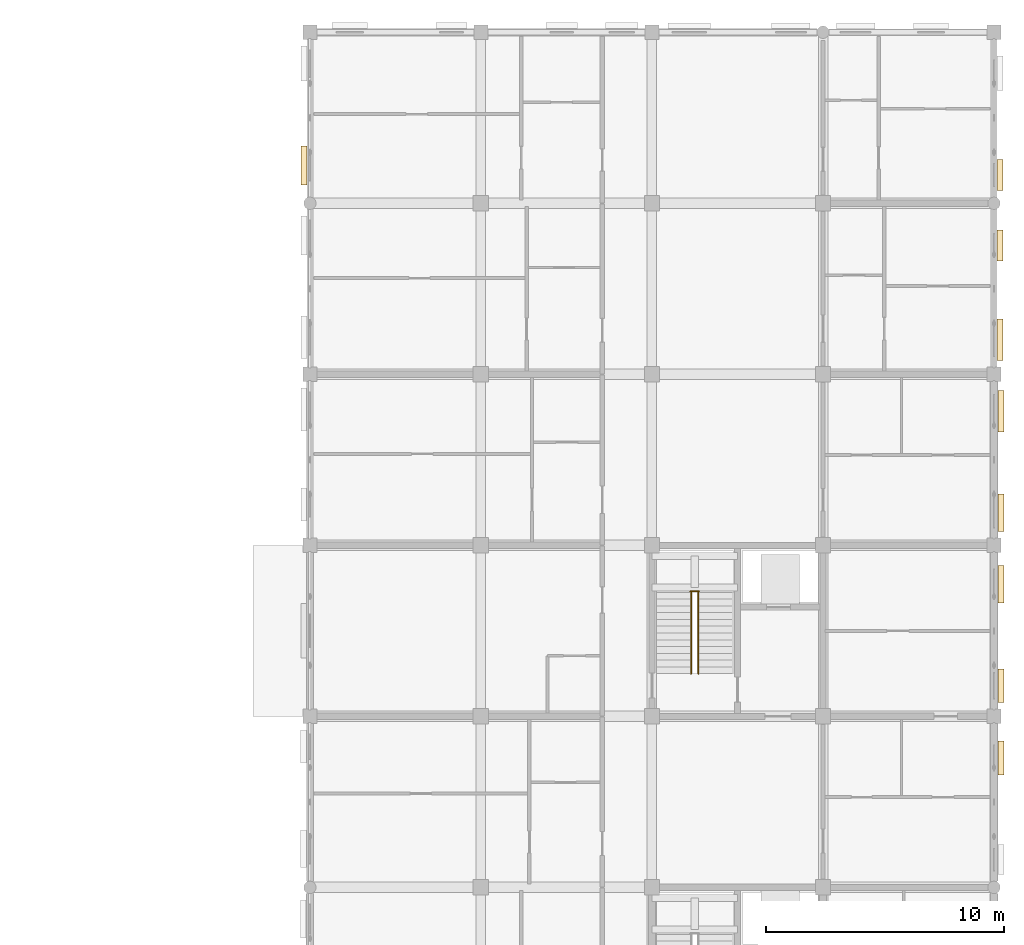
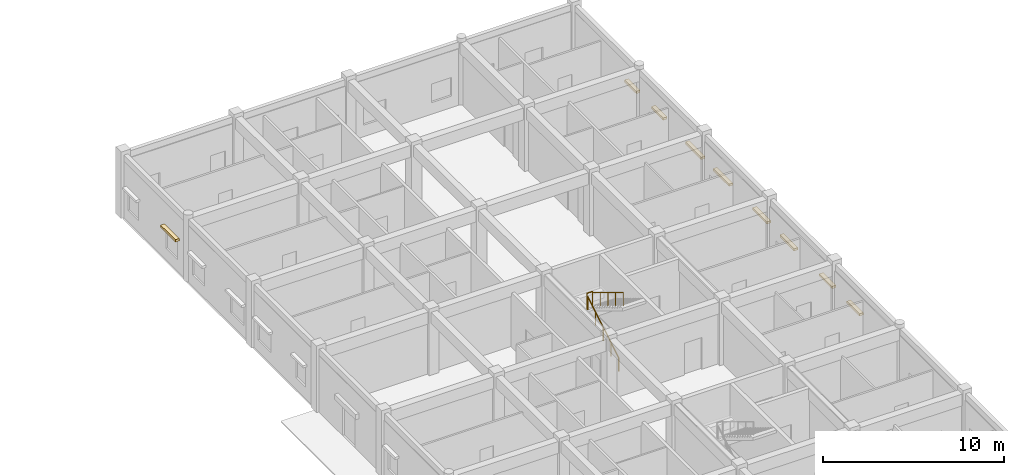
# One storey, part 134 of 138: 9 coverings, 3 railings.
"""IFC4 building model written with IfcOpenShell, lengths in metres."""

from ifc_helpers import new_model, si_unit, direction, frame, origin, origin_2d, place, context, subcontext, project, spatial, rectangle, circle, extrude, material, layer, layer_set, type_object, element, save


model = new_model("IFC4")

# Units and contexts
model_context = context("Model", 3, precision=1e-05, world=origin(), true_north=direction((0.0, 1.0)))
body_context = subcontext(model_context, "Body", "Model", "MODEL_VIEW")
ifc_project = project(units=[si_unit("LENGTHUNIT", "METRE"), si_unit("AREAUNIT", "SQUARE_METRE"), si_unit("VOLUMEUNIT", "CUBIC_METRE"), si_unit("PLANEANGLEUNIT", "RADIAN"), si_unit("MASSUNIT", "GRAM", prefix="KILO"), si_unit("THERMODYNAMICTEMPERATUREUNIT", "KELVIN"), si_unit("POWERUNIT", "WATT")], contexts=[model_context])

# Site, building, storey
site_placement = place(None, origin())
site = spatial("IfcSite", under=ifc_project, at=site_placement, CompositionType="ELEMENT")
building_placement = place(site_placement, origin())
building = spatial("IfcBuilding", under=site, at=building_placement, Name="Tavuni Mirador Residences", CompositionType="ELEMENT")
storey_placement = place(building_placement, origin())
storey = spatial("IfcBuildingStorey", under=building, at=storey_placement, Name="L00", CompositionType="ELEMENT", Elevation=0.0)

# Coverings
ifc_material_1 = material(Name="Natural coral limestone", Category="masonry")
ifc_layer = layer(ifc_material_1, 0.054931640625, Name="Natural coral limestone", Category="masonry")
ifc_layer_set = layer_set([ifc_layer], Name="Natural coral limestone")
covering_type = type_object("IfcCoveringType", Name="CVT-CLAD-CORAL", PredefinedType="CLADDING", material=ifc_layer_set)
for number, where, z_axis, x_axis, name in (
    (1, (119.094482421875, 106.25, 1.955078125), (0.0, 0.0, 1.0), (0.0, 1.0, 0.0), "HOOD-0857"),
    (2, (119.094482421875, 109.2900390625, 1.955078125), (0.0, 0.0, 1.0), (0.0, 1.0, 0.0), "HOOD-0858"),
):
    element("IfcCovering", number, at=place(storey_placement, frame(where, z_axis=z_axis, x_axis=x_axis)), inside=storey, type_object=covering_type, Name=name, PredefinedType="CLADDING", context=body_context, shape_type="SweptSolid", body=[
        extrude(rectangle(XDim=1.419921875, YDim=0.25, at=origin_2d()), origin(), (0.0, 0.0, 1.0), 0.14990234375),
    ])
for number, where, z_axis, x_axis, name in (
    (3, (119.094482421875, 113.570068359375, 1.955078125), (0.0, 0.0, 1.0), (0.0, 1.0, 0.0), "HOOD-0859"),
    (4, (119.094482421875, 116.570068359375, 1.955078125), (0.0, 0.0, 1.0), (0.0, 1.0, 0.0), "HOOD-0860"),
):
    element("IfcCovering", number, at=place(storey_placement, frame(where, z_axis=z_axis, x_axis=x_axis)), inside=storey, type_object=covering_type, Name=name, PredefinedType="CLADDING", context=body_context, shape_type="SweptSolid", body=[
        extrude(rectangle(XDim=1.580078125, YDim=0.25, at=origin_2d()), origin(), (0.0, 0.0, 1.0), 0.14990234375),
    ])
for number, where, z_axis, x_axis, name in (
    (5, (119.094482421875, 120.85009765625, 1.955078125), (0.0, 0.0, 1.0), (0.0, 1.0, 0.0), "HOOD-0861"),
    (6, (119.049560546875, 123.85009765625, 1.955078125), (0.0, 0.0, 1.0), (0.0, 1.0, 0.0), "HOOD-0862"),
):
    element("IfcCovering", number, at=place(storey_placement, frame(where, z_axis=z_axis, x_axis=x_axis)), inside=storey, type_object=covering_type, Name=name, PredefinedType="CLADDING", context=body_context, shape_type="SweptSolid", body=[
        extrude(rectangle(XDim=1.739990234375, YDim=0.25, at=origin_2d()), origin(), (0.0, 0.0, 1.0), 0.14990234375),
    ])
for number, where, z_axis, x_axis, name in (
    (7, (119.049560546875, 127.830078125, 2.06494140625), (0.0, 0.0, 1.0), (0.0, 1.0, 0.0), "HOOD-0863"),
    (8, (119.04443359375, 130.7900390625, 2.06494140625), (0.0, 0.0, 1.0), (0.0, 1.0, 0.0), "HOOD-0864"),
):
    element("IfcCovering", number, at=place(storey_placement, frame(where, z_axis=z_axis, x_axis=x_axis)), inside=storey, type_object=covering_type, Name=name, PredefinedType="CLADDING", context=body_context, shape_type="SweptSolid", body=[
        extrude(rectangle(XDim=1.300048828125, YDim=0.25, at=origin_2d()), origin(), (0.0, 0.0, 1.0), 0.14990234375),
    ])
covering_placement = place(storey_placement, frame((89.755615234375, 131.199951171875, 2.1650390625), z_axis=(0.0, 0.0, 1.0), x_axis=(0.0, -1.0, 0.0)))
element("IfcCovering", 9, at=covering_placement, inside=storey, type_object=covering_type, Name="HOOD-0875", PredefinedType="CLADDING", context=body_context, shape_type="SweptSolid", body=[
    extrude(rectangle(XDim=1.639892578125, YDim=0.25, at=origin_2d()), origin(), (0.0, 0.0, 1.0), 0.14990234375),
])

# Railings
ifc_material_2 = material(Name="Structural steel S355", Category="steel")
railing_type_1 = type_object("IfcRailingType", Name="RT-GR1120", PredefinedType="GUARDRAIL", material=ifc_material_2)
railing_1_placement = place(storey_placement, frame((106.02001953125, 113.260009765625, 2.25)))
element("IfcRailing", 10, at=railing_1_placement, inside=storey, type_object=railing_type_1, Name="GRD-HL-ST8-L00", PredefinedType="GUARDRAIL", context=body_context, shape_type="SweptSolid", body=[
    extrude(circle(Radius=0.02392578125, at=origin_2d()), frame((0.0, 0.0, 1.09619140625), z_axis=(1.0, 0.0, 0.0), x_axis=(0.0, 1.0, 0.0)), (0.0, 0.0, 1.0), 0.35986328125),
    extrude(circle(Radius=0.02099609375, at=origin_2d()), origin(), (0.0, 0.0, 1.0), 1.072021484375),
    extrude(circle(Radius=0.02099609375, at=origin_2d()), frame((0.35986328125, 0.0, 0.0)), (0.0, 0.0, 1.0), 1.072021484375),
])
railing_type_2 = type_object("IfcRailingType", Name="RT-HR920", PredefinedType="HANDRAIL", material=ifc_material_2)
railing_2_placement = place(storey_placement, frame((106.050048828125, 109.800048828125, 0.173095703125)))
element("IfcRailing", 11, at=railing_2_placement, inside=storey, type_object=railing_type_2, Name="HR-ST8-L00-F1", PredefinedType="HANDRAIL", context=body_context, shape_type="SweptSolid", body=[
    extrude(circle(Radius=0.02392578125, at=origin_2d()), frame((0.0, 0.0, 0.89599609375), z_axis=(0.0, 0.854729506542, 0.519073665916), x_axis=(-1.0, 0.0, 0.0)), (0.0, 0.0, 1.0), 4.001220703125),
    extrude(circle(Radius=0.02099609375, at=origin_2d()), origin(), (0.0, 0.0, 1.0), 0.871826171875),
    extrude(circle(Radius=0.02099609375, at=origin_2d()), frame((0.0, 0.85498046875, 0.519287109375)), (0.0, 0.0, 1.0), 0.871826171875),
    extrude(circle(Radius=0.02099609375, at=origin_2d()), frame((0.0, 1.7099609375, 1.03857421875)), (0.0, 0.0, 1.0), 0.871826171875),
    extrude(circle(Radius=0.02099609375, at=origin_2d()), frame((0.0, 2.56494140625, 1.5576171875)), (0.0, 0.0, 1.0), 0.871826171875),
    extrude(circle(Radius=0.02099609375, at=origin_2d()), frame((0.0, 3.419921875, 2.076904296875)), (0.0, 0.0, 1.0), 0.871826171875),
])
railing_3_placement = place(storey_placement, frame((106.35009765625, 113.219970703125, 2.423095703125)))
element("IfcRailing", 12, at=railing_3_placement, inside=storey, type_object=railing_type_2, Name="HR-ST8-L00-F2", PredefinedType="HANDRAIL", context=body_context, shape_type="SweptSolid", body=[
    extrude(circle(Radius=0.02392578125, at=origin_2d()), frame((0.0, 0.0, 0.89599609375), z_axis=(0.0, -0.854729506542, 0.519073665916), x_axis=(1.0, 0.0, 0.0)), (0.0, 0.0, 1.0), 4.001220703125),
    extrude(circle(Radius=0.02099609375, at=origin_2d()), origin(), (0.0, 0.0, 1.0), 0.871826171875),
    extrude(circle(Radius=0.02099609375, at=origin_2d()), frame((0.0, -0.85498046875, 0.519287109375)), (0.0, 0.0, 1.0), 0.871826171875),
    extrude(circle(Radius=0.02099609375, at=origin_2d()), frame((0.0, -1.7099609375, 1.03857421875)), (0.0, 0.0, 1.0), 0.871826171875),
    extrude(circle(Radius=0.02099609375, at=origin_2d()), frame((0.0, -2.56494140625, 1.5576171875)), (0.0, 0.0, 1.0), 0.871826171875),
    extrude(circle(Radius=0.02099609375, at=origin_2d()), frame((0.0, -3.419921875, 2.076904296875)), (0.0, 0.0, 1.0), 0.871826171875),
])

save(model, "model.ifc")
